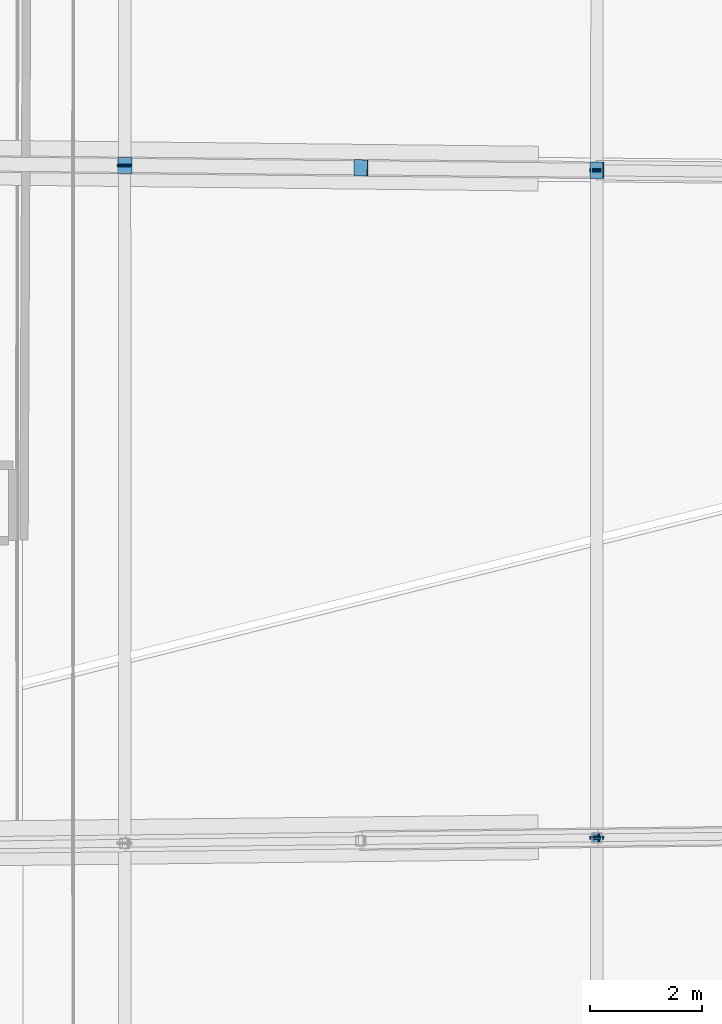
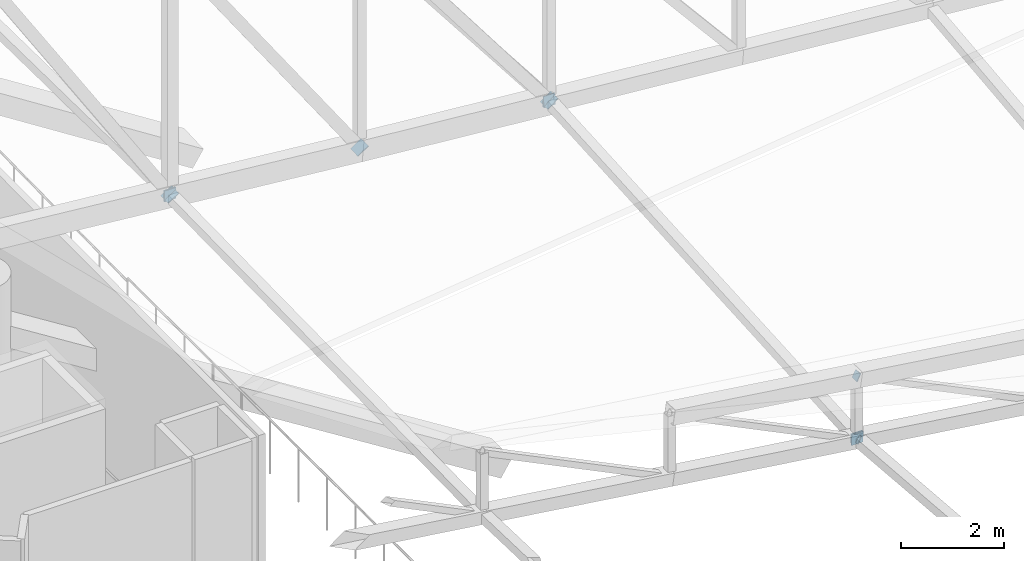
# One storey, part 293 of 344: 11 discrete accessories.
"""IFC4 building model written with IfcOpenShell, lengths in metres."""

from ifc_helpers import new_model, si_unit, direction, frame, origin, origin_2d, place, context, subcontext, project, spatial, rectangle, extrude, material, material_profile, profile_set, type_object, element, save


model = new_model("IFC4")

# Units and contexts
model_context = context("Model", 3, precision=1e-05, world=origin(), true_north=direction((0.0, 1.0)))
body_context = subcontext(model_context, "Body", "Model", "MODEL_VIEW")
ifc_project = project(units=[si_unit("LENGTHUNIT", "METRE"), si_unit("AREAUNIT", "SQUARE_METRE"), si_unit("VOLUMEUNIT", "CUBIC_METRE"), si_unit("PLANEANGLEUNIT", "RADIAN"), si_unit("MASSUNIT", "GRAM", prefix="KILO")], contexts=[model_context])

# Site, building, storey
site_placement = place(None, origin())
site = spatial("IfcSite", under=ifc_project, at=site_placement, CompositionType="ELEMENT")
building_placement = place(site_placement, origin())
building = spatial("IfcBuilding", under=site, at=building_placement, Name="Meseta Stadium", CompositionType="ELEMENT")
storey_placement = place(building_placement, frame((0.0, 0.0, 24.0)))
storey = spatial("IfcBuildingStorey", under=building, at=storey_placement, Name="L04", CompositionType="ELEMENT", Elevation=24.0)

# Discrete accessories
ifc_material_1 = material(Name="Steel S355", Category="steel")
ifc_material_profile_1 = material_profile(ifc_material_1, rectangle(XDim=0.179931640625, YDim=0.179931640625, at=origin_2d()), Name="PL 180x180")
ifc_profile_set_1 = profile_set([ifc_material_profile_1], Name="Steel S355")
discrete_accessory_type_1 = type_object("IfcDiscreteAccessoryType", Name="End plate 180x180x20", PredefinedType="ANCHORPLATE", material=ifc_profile_set_1)
discrete_accessory_1_placement = place(storey_placement, frame((-72.331298828125, -5.98828125, 6.43896484375), z_axis=(-0.896803189872, -0.012284975204, 0.442259107334), x_axis=(0.013697345027, -0.999906186969, 0.0)))
element("IfcDiscreteAccessory", 1, at=discrete_accessory_1_placement, inside=storey, type_object=discrete_accessory_type_1, Name="End plate of ROOF TRUSS RT-33 diagonal", PredefinedType="ANCHORPLATE", context=body_context, shape_type="SweptSolid", body=[
    extrude(rectangle(XDim=0.179931640625, YDim=0.179931640625, at=origin_2d()), origin(), (0.0, 0.0, 1.0), 0.019775390625),
])
discrete_accessory_2_placement = place(storey_placement, frame((-72.313232421875, -5.98828125, 4.95263671875), z_axis=(-0.899235088746, 0.0, 0.437465718849), x_axis=(0.0, -1.0, 0.0)))
element("IfcDiscreteAccessory", 2, at=discrete_accessory_2_placement, inside=storey, type_object=discrete_accessory_type_1, Name="End plate of ROOF TRUSS RT-33 diagonal", PredefinedType="ANCHORPLATE", context=body_context, shape_type="SweptSolid", body=[
    extrude(rectangle(XDim=0.179931640625, YDim=0.179931640625, at=origin_2d()), origin(), (0.0, 0.0, 1.0), 0.02001953125),
])
ifc_material_2 = material(Name="Steel S355", Category="steel")
ifc_material_profile_2 = material_profile(ifc_material_2, rectangle(XDim=0.260009765625, YDim=0.260009765625, at=origin_2d()), Name="PL 260x260")
ifc_profile_set_2 = profile_set([ifc_material_profile_2], Name="Steel S355")
discrete_accessory_type_2 = type_object("IfcDiscreteAccessoryType", Name="End plate 260x260x20", PredefinedType="ANCHORPLATE", material=ifc_profile_set_2)
for number, where, z_axis, x_axis, name in (
    (3, (-72.33154296875, 5.951171875, 5.722412109375), (0.0, -0.997333723592, 0.072975638312), (1.0, 0.0, 0.0), "End plate of ROOF TRUSS STRUT RT-31/32"),
    (4, (-80.775634765625, 6.0380859375, 6.395263671875), (0.0, -0.999925647793, 0.012194215217), (1.0, 0.0, 0.0), "End plate of ROOF TRUSS STRUT RT-31/32"),
    (5, (-72.33154296875, 5.97119140625, 5.723876953125), (0.0, -0.997333723592, -0.072975638312), (1.0, 0.0, 0.0), "End plate of ROOF TRUSS STRUT RT-32/33"),
    (6, (-72.331298828125, -5.98828125, 4.96142578125), (0.0, -0.998146155389, -0.060862570451), (1.0, 0.0, 0.0), "End plate of ROOF TRUSS STRUT RT-32/33"),
    (7, (-80.775634765625, 6.05810546875, 6.3955078125), (0.0, -0.999925647793, -0.012194215217), (1.0, 0.0, 0.0), "End plate of ROOF TRUSS STRUT RT-32/33"),
):
    element("IfcDiscreteAccessory", number, at=place(storey_placement, frame(where, z_axis=z_axis, x_axis=x_axis)), inside=storey, type_object=discrete_accessory_type_2, Name=name, PredefinedType="ANCHORPLATE", context=body_context, shape_type="SweptSolid", body=[
        extrude(rectangle(XDim=0.260009765625, YDim=0.260009765625, at=origin_2d()), origin(), (0.0, 0.0, 1.0), 0.02001953125),
    ])
discrete_accessory_3_placement = place(storey_placement, frame((-72.331298828125, -5.968505859375, 4.959716796875), z_axis=(0.0, -0.996286600035, 0.086098841978), x_axis=(1.0, 0.0, 0.0)))
element("IfcDiscreteAccessory", 8, at=discrete_accessory_3_placement, inside=storey, type_object=discrete_accessory_type_2, Name="End plate of ROOF TRUSS STRUT RT-33/34", PredefinedType="ANCHORPLATE", context=body_context, shape_type="SweptSolid", body=[
    extrude(rectangle(XDim=0.260009765625, YDim=0.260009765625, at=origin_2d()), origin(), (0.0, 0.0, 1.0), 0.019775390625),
])
ifc_material_3 = material(Name="Steel S355", Category="steel")
ifc_material_profile_3 = material_profile(ifc_material_3, rectangle(XDim=0.2900390625, YDim=0.2900390625, at=origin_2d()), Name="PL 290x290")
ifc_profile_set_3 = profile_set([ifc_material_profile_3], Name="Steel S355")
discrete_accessory_type_3 = type_object("IfcDiscreteAccessoryType", Name="End plate 290x290x20", PredefinedType="ANCHORPLATE", material=ifc_profile_set_3)
discrete_accessory_4_placement = place(storey_placement, frame((-72.319580078125, 5.951171875, 5.70654296875), z_axis=(-0.601963784982, 0.0, 0.798523388242), x_axis=(0.0, -1.0, 0.0)))
element("IfcDiscreteAccessory", 9, at=discrete_accessory_4_placement, inside=storey, type_object=discrete_accessory_type_3, Name="End plate of ROOF TRUSS RT-32 diagonal", PredefinedType="ANCHORPLATE", context=body_context, shape_type="SweptSolid", body=[
    extrude(rectangle(XDim=0.2900390625, YDim=0.2900390625, at=origin_2d()), origin(), (0.0, 0.0, 1.0), 0.019775390625),
])
for number, where, z_axis, x_axis, name in (
    (10, (-76.542236328125, 5.994384765625, 6.04248046875), (-0.574239243749, 0.01221785625, 0.818596368748), (-0.021271781491, -0.999773730057, 0.0), "End plate of ROOF TRUSS RT-32 diagonal"),
    (11, (-80.764892578125, 6.037841796875, 6.37841796875), (-0.537625803814, 0.012218768269, 0.843095010527), (-0.022721405353, -0.999741835545, 0.0), "End plate of ROOF TRUSS RT-32 diagonal"),
):
    element("IfcDiscreteAccessory", number, at=place(storey_placement, frame(where, z_axis=z_axis, x_axis=x_axis)), inside=storey, type_object=discrete_accessory_type_3, Name=name, PredefinedType="ANCHORPLATE", context=body_context, shape_type="SweptSolid", body=[
        extrude(rectangle(XDim=0.2900390625, YDim=0.2900390625, at=origin_2d()), origin(), (0.0, 0.0, 1.0), 0.02001953125),
    ])

save(model, "model.ifc")
